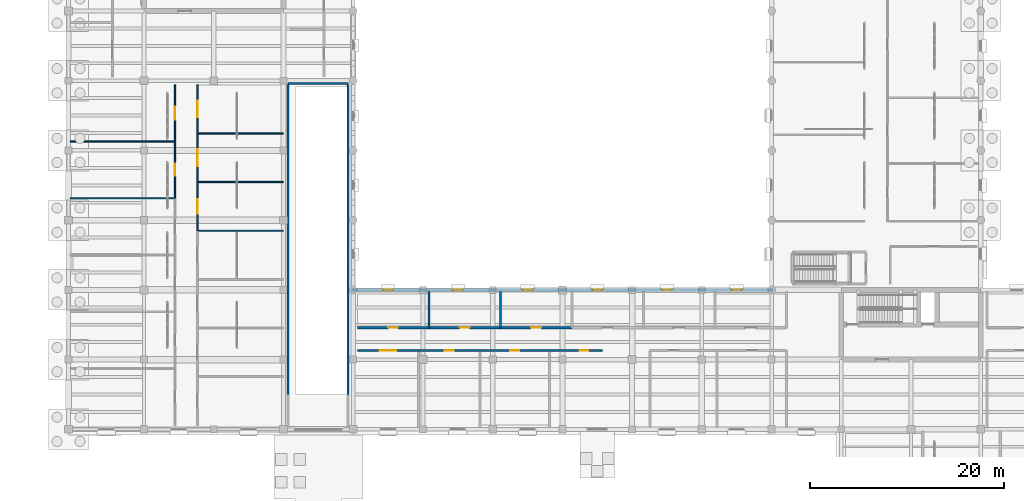
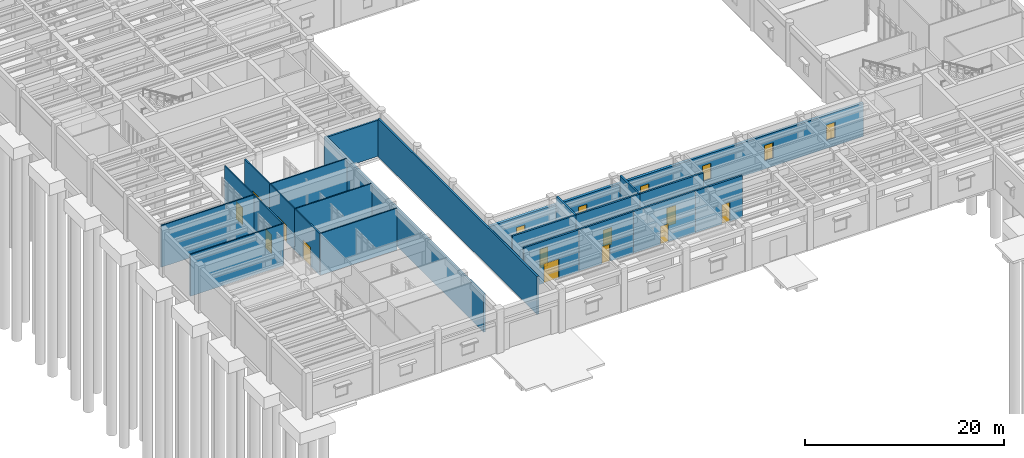
# One storey, part 68 of 100: 23 walls, 12 doors, 6 windows, 18 openings.
"""IFC4 building model written with IfcOpenShell, lengths in metres."""

from ifc_helpers import new_model, si_unit, direction, frame, frame_2d, origin, place, context, subcontext, project, spatial, rectangle, extrude, material, layer, layer_set, type_object, element, fill, save


model = new_model("IFC4")

# Units and contexts
model_context = context("Model", 3, precision=1e-05, world=origin(), true_north=direction((0.0, 1.0)))
body_context = subcontext(model_context, "Body", "Model", "MODEL_VIEW")
ifc_project = project(units=[si_unit("LENGTHUNIT", "METRE"), si_unit("AREAUNIT", "SQUARE_METRE"), si_unit("VOLUMEUNIT", "CUBIC_METRE"), si_unit("PLANEANGLEUNIT", "RADIAN"), si_unit("MASSUNIT", "GRAM", prefix="KILO")], contexts=[model_context])

# Site, building, storey
site_placement = place(None, origin())
site = spatial("IfcSite", under=ifc_project, at=site_placement, CompositionType="ELEMENT")
building_placement = place(site_placement, origin())
building = spatial("IfcBuilding", under=site, at=building_placement, Name="Mithqara Police Headquarters", CompositionType="ELEMENT")
storey_placement = place(building_placement, origin())
storey = spatial("IfcBuildingStorey", under=building, at=storey_placement, Name="L00", CompositionType="ELEMENT", Elevation=0.0)

# Wall, openings, windows
ifc_material_1 = material(Name="Limestone ashlar masonry, 45 MPa", Category="masonry")
ifc_layer_1 = layer(ifc_material_1, 0.320068359375, Name="Limestone ashlar masonry, 45 MPa")
ifc_layer_set_1 = layer_set([ifc_layer_1], Name="Limestone ashlar masonry, 45 MPa")
wall_type_1 = type_object("IfcWallType", Name="EXT WALL LIMESTONE320", PredefinedType="SOLIDWALL", material=ifc_layer_set_1)
wall_1_placement = place(storey_placement, frame((72.760009765625, 35.39990234375, 0.0), z_axis=(0.0, 0.0, 1.0), x_axis=(-1.0, 0.0, 0.0)))
wall_1 = element("IfcWall", 1, at=wall_1_placement, inside=storey, type_object=wall_type_1, Name="L00 Exterior Wall 5.1", PredefinedType="SOLIDWALL", context=body_context, shape_type="SweptSolid", body=[
    extrude(rectangle(XDim=43.52001953125, YDim=0.320068359375, at=frame_2d((21.760009765625, 0.0))), origin(), (0.0, 0.0, 1.0), 4.1201171875),
])
opening_1_placement = place(wall_1_placement, frame((39.260009765625, 0.0, 1.0)))
opening_1 = element("IfcOpeningElement", 2, at=opening_1_placement, cuts=wall_1, Name="Opening W-08", PredefinedType="OPENING", context=body_context, shape_type="SweptSolid", body=[
    extrude(rectangle(XDim=1.0, YDim=1.89990234375, at=frame_2d((0.5, 0.949951171875))), frame((0.0, 0.169921875, 0.0), z_axis=(0.0, -1.0, 0.0), x_axis=(1.0, 0.0, 0.0)), (0.0, 0.0, 1.0), 0.340087890625),
])
opening_2_placement = place(wall_1_placement, frame((32.06005859375, 0.0, 1.0)))
opening_2 = element("IfcOpeningElement", 3, at=opening_2_placement, cuts=wall_1, Name="Opening W-08", PredefinedType="OPENING", context=body_context, shape_type="SweptSolid", body=[
    extrude(rectangle(XDim=1.0, YDim=1.89990234375, at=frame_2d((0.5, 0.949951171875))), frame((0.0, 0.169921875, 0.0), z_axis=(0.0, -1.0, 0.0), x_axis=(1.0, 0.0, 0.0)), (0.0, 0.0, 1.0), 0.340087890625),
])
opening_3_placement = place(wall_1_placement, frame((24.860107421875, 0.0, 1.0)))
opening_3 = element("IfcOpeningElement", 4, at=opening_3_placement, cuts=wall_1, Name="Opening W-08", PredefinedType="OPENING", context=body_context, shape_type="SweptSolid", body=[
    extrude(rectangle(XDim=1.0, YDim=1.89990234375, at=frame_2d((0.5, 0.949951171875))), frame((0.0, 0.169921875, 0.0), z_axis=(0.0, -1.0, 0.0), x_axis=(1.0, 0.0, 0.0)), (0.0, 0.0, 1.0), 0.340087890625),
])
opening_4_placement = place(wall_1_placement, frame((17.659912109375, 0.0, 1.0)))
opening_4 = element("IfcOpeningElement", 5, at=opening_4_placement, cuts=wall_1, Name="Opening W-08", PredefinedType="OPENING", context=body_context, shape_type="SweptSolid", body=[
    extrude(rectangle(XDim=1.0, YDim=1.89990234375, at=frame_2d((0.5, 0.949951171875))), frame((0.0, 0.169921875, 0.0), z_axis=(0.0, -1.0, 0.0), x_axis=(1.0, 0.0, 0.0)), (0.0, 0.0, 1.0), 0.340087890625),
])
opening_5_placement = place(wall_1_placement, frame((10.4599609375, 0.0, 1.0)))
opening_5 = element("IfcOpeningElement", 6, at=opening_5_placement, cuts=wall_1, Name="Opening W-08", PredefinedType="OPENING", context=body_context, shape_type="SweptSolid", body=[
    extrude(rectangle(XDim=1.0, YDim=1.89990234375, at=frame_2d((0.5, 0.949951171875))), frame((0.0, 0.169921875, 0.0), z_axis=(0.0, -1.0, 0.0), x_axis=(1.0, 0.0, 0.0)), (0.0, 0.0, 1.0), 0.340087890625),
])
opening_6_placement = place(wall_1_placement, frame((3.260009765625, 0.0, 1.0)))
opening_6 = element("IfcOpeningElement", 7, at=opening_6_placement, cuts=wall_1, Name="Opening W-08", PredefinedType="OPENING", context=body_context, shape_type="SweptSolid", body=[
    extrude(rectangle(XDim=1.0, YDim=1.89990234375, at=frame_2d((0.5, 0.949951171875))), frame((0.0, 0.169921875, 0.0), z_axis=(0.0, -1.0, 0.0), x_axis=(1.0, 0.0, 0.0)), (0.0, 0.0, 1.0), 0.340087890625),
])
ifc_material_2 = material(Name="Spectrally selective double low-e glass", Category="glass")
window_type = type_object("IfcWindowType", Name="WINDOW 1000X1900", PartitioningType="SINGLE_PANEL", PredefinedType="WINDOW", material=ifc_material_2)
window_1_placement = place(opening_1_placement, origin())
window_1 = element("IfcWindow", 8, at=window_1_placement, inside=storey, type_object=window_type, Name="L00 Deep-Set Punched Window 5.1", OverallHeight=1.89990234375, OverallWidth=1.0, PartitioningType="SINGLE_PANEL", PredefinedType="WINDOW", context=body_context, shape_type="SweptSolid", body=[
    extrude(rectangle(XDim=1.0, YDim=1.89990234375, at=frame_2d((0.5, 0.949951171875))), frame((0.0, 0.030029296875, 0.0), z_axis=(0.0, -1.0, 0.0), x_axis=(1.0, 0.0, 0.0)), (0.0, 0.0, 1.0), 0.06005859375),
])
fill(opening_1, window_1)
window_2_placement = place(opening_2_placement, origin())
window_2 = element("IfcWindow", 9, at=window_2_placement, inside=storey, type_object=window_type, Name="L00 Deep-Set Punched Window 5.2", OverallHeight=1.89990234375, OverallWidth=1.0, PartitioningType="SINGLE_PANEL", PredefinedType="WINDOW", context=body_context, shape_type="SweptSolid", body=[
    extrude(rectangle(XDim=1.0, YDim=1.89990234375, at=frame_2d((0.5, 0.949951171875))), frame((0.0, 0.030029296875, 0.0), z_axis=(0.0, -1.0, 0.0), x_axis=(1.0, 0.0, 0.0)), (0.0, 0.0, 1.0), 0.06005859375),
])
fill(opening_2, window_2)
window_3_placement = place(opening_3_placement, origin())
window_3 = element("IfcWindow", 10, at=window_3_placement, inside=storey, type_object=window_type, Name="L00 Deep-Set Punched Window 5.3", OverallHeight=1.89990234375, OverallWidth=1.0, PartitioningType="SINGLE_PANEL", PredefinedType="WINDOW", context=body_context, shape_type="SweptSolid", body=[
    extrude(rectangle(XDim=1.0, YDim=1.89990234375, at=frame_2d((0.5, 0.949951171875))), frame((0.0, 0.030029296875, 0.0), z_axis=(0.0, -1.0, 0.0), x_axis=(1.0, 0.0, 0.0)), (0.0, 0.0, 1.0), 0.06005859375),
])
fill(opening_3, window_3)
window_4_placement = place(opening_4_placement, origin())
window_4 = element("IfcWindow", 11, at=window_4_placement, inside=storey, type_object=window_type, Name="L00 Deep-Set Punched Window 5.4", OverallHeight=1.89990234375, OverallWidth=1.0, PartitioningType="SINGLE_PANEL", PredefinedType="WINDOW", context=body_context, shape_type="SweptSolid", body=[
    extrude(rectangle(XDim=1.0, YDim=1.89990234375, at=frame_2d((0.5, 0.949951171875))), frame((0.0, 0.030029296875, 0.0), z_axis=(0.0, -1.0, 0.0), x_axis=(1.0, 0.0, 0.0)), (0.0, 0.0, 1.0), 0.06005859375),
])
fill(opening_4, window_4)
window_5_placement = place(opening_5_placement, origin())
window_5 = element("IfcWindow", 12, at=window_5_placement, inside=storey, type_object=window_type, Name="L00 Deep-Set Punched Window 5.5", OverallHeight=1.89990234375, OverallWidth=1.0, PartitioningType="SINGLE_PANEL", PredefinedType="WINDOW", context=body_context, shape_type="SweptSolid", body=[
    extrude(rectangle(XDim=1.0, YDim=1.89990234375, at=frame_2d((0.5, 0.949951171875))), frame((0.0, 0.030029296875, 0.0), z_axis=(0.0, -1.0, 0.0), x_axis=(1.0, 0.0, 0.0)), (0.0, 0.0, 1.0), 0.06005859375),
])
fill(opening_5, window_5)
window_6_placement = place(opening_6_placement, origin())
window_6 = element("IfcWindow", 13, at=window_6_placement, inside=storey, type_object=window_type, Name="L00 Deep-Set Punched Window 5.6", OverallHeight=1.89990234375, OverallWidth=1.0, PartitioningType="SINGLE_PANEL", PredefinedType="WINDOW", context=body_context, shape_type="SweptSolid", body=[
    extrude(rectangle(XDim=1.0, YDim=1.89990234375, at=frame_2d((0.5, 0.949951171875))), frame((0.0, 0.030029296875, 0.0), z_axis=(0.0, -1.0, 0.0), x_axis=(1.0, 0.0, 0.0)), (0.0, 0.0, 1.0), 0.06005859375),
])
fill(opening_6, window_6)

# Wall
ifc_material_3 = material(Name="Gypsum acoustic stud partition", Category="gypsum")
ifc_layer_2 = layer(ifc_material_3, 0.139892578125, Name="Gypsum acoustic stud partition")
ifc_layer_set_2 = layer_set([ifc_layer_2], Name="Gypsum acoustic stud partition")
wall_type_2 = type_object("IfcWallType", Name="PART WALL 140", PredefinedType="PARTITIONING", material=ifc_layer_set_2)
wall_2_placement = place(storey_placement, frame((0.179931640625, 44.860107421875, 0.0), z_axis=(0.0, 0.0, 1.0), x_axis=(1.0, 0.0, 0.0)))
element("IfcWall", 14, at=wall_2_placement, inside=storey, type_object=wall_type_2, Name="L00 Room Partition Tactical Equipment Room", PredefinedType="PARTITIONING", context=body_context, shape_type="SweptSolid", body=[
    extrude(rectangle(XDim=10.81005859375, YDim=0.139892578125, at=frame_2d((5.405029296875, 0.0))), origin(), (0.0, 0.0, 1.0), 5.1201171875),
])

# Wall, opening, door
wall_3_placement = place(storey_placement, frame((10.989990234375, 44.860107421875, 0.0), z_axis=(0.0, 0.0, 1.0), x_axis=(0.0, 1.0, 0.0)))
wall_3 = element("IfcWall", 15, at=wall_3_placement, inside=storey, type_object=wall_type_2, Name="L00 Corridor Wall K9 Handler Readiness Room", PredefinedType="PARTITIONING", context=body_context, shape_type="SweptSolid", body=[
    extrude(rectangle(XDim=5.85986328125, YDim=0.139892578125, at=frame_2d((2.929931640625, 0.0))), origin(), (0.0, 0.0, 1.0), 5.1201171875),
])
opening_7_placement = place(wall_3_placement, frame((2.320068359375, 0.0, 0.0)))
opening_7 = element("IfcOpeningElement", 16, at=opening_7_placement, cuts=wall_3, Name="Opening D-15", PredefinedType="OPENING", context=body_context, shape_type="SweptSolid", body=[
    extrude(rectangle(XDim=1.219970703125, YDim=2.35009765625, at=frame_2d((0.60986328125, 1.175048828125))), frame((0.0, 0.080078125, 0.0), z_axis=(0.0, -1.0, 0.0), x_axis=(1.0, 0.0, 0.0)), (0.0, 0.0, 1.0), 0.159912109375),
])
ifc_material_4 = material(Name="Acoustic solid-core timber leaf", Category="wood")
door_type_1 = type_object("IfcDoorType", Name="INT DOOR 1220X2350", OperationType="NOTDEFINED", PredefinedType="DOOR", material=ifc_material_4)
door_1_placement = place(opening_7_placement, frame((1.219970703125, 0.0, 0.0), z_axis=(0.0, 0.0, 1.0), x_axis=(-1.0, 0.0, 0.0)))
door_1 = element("IfcDoor", 17, at=door_1_placement, inside=storey, type_object=door_type_1, Name="K9 Handler Readiness Room Entry Door", OperationType="SINGLE_SWING_RIGHT", OverallHeight=2.35009765625, OverallWidth=1.219970703125, PredefinedType="DOOR", context=body_context, shape_type="SweptSolid", body=[
    extrude(rectangle(XDim=1.219970703125, YDim=2.35009765625, at=frame_2d((0.60986328125, 1.175048828125))), frame((0.0, 0.02490234375, 0.0), z_axis=(0.0, -1.0, 0.0), x_axis=(1.0, 0.0, 0.0)), (0.0, 0.0, 1.0), 0.050048828125),
])
fill(opening_7, door_1)

# Wall
wall_4_placement = place(storey_placement, frame((0.179931640625, 50.719970703125, 0.0), z_axis=(0.0, 0.0, 1.0), x_axis=(1.0, 0.0, 0.0)))
element("IfcWall", 18, at=wall_4_placement, inside=storey, type_object=wall_type_2, Name="L00 Room Partition K9 Handler Readiness Room", PredefinedType="PARTITIONING", context=body_context, shape_type="SweptSolid", body=[
    extrude(rectangle(XDim=10.81005859375, YDim=0.139892578125, at=frame_2d((5.405029296875, 0.0))), origin(), (0.0, 0.0, 1.0), 5.1201171875),
])

# Wall, opening, door
wall_5_placement = place(storey_placement, frame((10.989990234375, 50.719970703125, 0.0), z_axis=(0.0, 0.0, 1.0), x_axis=(0.0, 1.0, 0.0)))
wall_5 = element("IfcWall", 19, at=wall_5_placement, inside=storey, type_object=wall_type_2, Name="L00 Corridor Wall First Aid Treatment Room", PredefinedType="PARTITIONING", context=body_context, shape_type="SweptSolid", body=[
    extrude(rectangle(XDim=5.860107421875, YDim=0.139892578125, at=frame_2d((2.93017578125, 0.0))), origin(), (0.0, 0.0, 1.0), 5.1201171875),
])
opening_8_placement = place(wall_5_placement, frame((2.25, 0.0, 0.0)))
opening_8 = element("IfcOpeningElement", 20, at=opening_8_placement, cuts=wall_5, Name="Opening D-16", PredefinedType="OPENING", context=body_context, shape_type="SweptSolid", body=[
    extrude(rectangle(XDim=1.360107421875, YDim=2.10009765625, at=frame_2d((0.68017578125, 1.050048828125))), frame((0.0, 0.080078125, 0.0), z_axis=(0.0, -1.0, 0.0), x_axis=(1.0, 0.0, 0.0)), (0.0, 0.0, 1.0), 0.159912109375),
])
ifc_material_5 = material(Name="Bronze anodised aluminium 6063-T6", Category="aluminium")
door_type_2 = type_object("IfcDoorType", Name="INT DOOR 1360X2100", OperationType="NOTDEFINED", PredefinedType="DOOR", material=ifc_material_5)
door_2_placement = place(opening_8_placement, frame((1.360107421875, 0.0, 0.0), z_axis=(0.0, 0.0, 1.0), x_axis=(-1.0, 0.0, 0.0)))
door_2 = element("IfcDoor", 21, at=door_2_placement, inside=storey, type_object=door_type_2, Name="First Aid Treatment Room Entry Door", OperationType="SINGLE_SWING_LEFT", OverallHeight=2.10009765625, OverallWidth=1.360107421875, PredefinedType="DOOR", context=body_context, shape_type="SweptSolid", body=[
    extrude(rectangle(XDim=1.360107421875, YDim=2.10009765625, at=frame_2d((0.68017578125, 1.050048828125))), frame((0.0, 0.02490234375, 0.0), z_axis=(0.0, -1.0, 0.0), x_axis=(1.0, 0.0, 0.0)), (0.0, 0.0, 1.0), 0.050048828125),
])
fill(opening_8, door_2)

# Wall
wall_6_placement = place(storey_placement, frame((13.330078125, 41.510986328125, 0.0), z_axis=(0.0, 0.0, 1.0), x_axis=(1.0, 0.0, 0.0)))
element("IfcWall", 22, at=wall_6_placement, inside=storey, type_object=wall_type_2, Name="L00 Room Partition Tactical Equipment Room", PredefinedType="PARTITIONING", context=body_context, shape_type="SweptSolid", body=[
    extrude(rectangle(XDim=8.869873046875, YDim=0.139892578125, at=frame_2d((4.43505859375, 0.0))), origin(), (0.0, 0.0, 1.0), 5.1201171875),
])

# Wall, opening, door
wall_7_placement = place(storey_placement, frame((13.330078125, 41.510986328125, 0.0), z_axis=(0.0, 0.0, 1.0), x_axis=(0.0, 1.0, 0.0)))
wall_7 = element("IfcWall", 23, at=wall_7_placement, inside=storey, type_object=wall_type_2, Name="L00 Corridor Wall K9 Handler Readiness Room", PredefinedType="PARTITIONING", context=body_context, shape_type="SweptSolid", body=[
    extrude(rectangle(XDim=5.02294921875, YDim=0.139892578125, at=frame_2d((2.511474609375, 0.0))), origin(), (0.0, 0.0, 1.0), 5.1201171875),
])
opening_9_placement = place(wall_7_placement, frame((1.75146484375, 0.0, 0.0)))
opening_9 = element("IfcOpeningElement", 24, at=opening_9_placement, cuts=wall_7, Name="Opening D-21", PredefinedType="OPENING", context=body_context, shape_type="SweptSolid", body=[
    extrude(rectangle(XDim=1.52001953125, YDim=2.35009765625, at=frame_2d((0.760009765625, 1.175048828125))), frame((0.0, 0.080078125, 0.0), z_axis=(0.0, -1.0, 0.0), x_axis=(1.0, 0.0, 0.0)), (0.0, 0.0, 1.0), 0.159912109375),
])
door_type_3 = type_object("IfcDoorType", Name="INT DOOR 1520X2350", OperationType="NOTDEFINED", PredefinedType="DOOR", material=ifc_material_5)
door_3_placement = place(opening_9_placement, origin())
door_3 = element("IfcDoor", 25, at=door_3_placement, inside=storey, type_object=door_type_3, Name="K9 Handler Readiness Room Entry Door", OperationType="DOUBLE_DOOR_SINGLE_SWING", OverallHeight=2.35009765625, OverallWidth=1.52001953125, PredefinedType="DOOR", context=body_context, shape_type="SweptSolid", body=[
    extrude(rectangle(XDim=1.52001953125, YDim=2.35009765625, at=frame_2d((0.760009765625, 1.175048828125))), frame((0.0, 0.02490234375, 0.0), z_axis=(0.0, -1.0, 0.0), x_axis=(1.0, 0.0, 0.0)), (0.0, 0.0, 1.0), 0.050048828125),
])
fill(opening_9, door_3)

# Wall
wall_8_placement = place(storey_placement, frame((13.330078125, 46.533935546875, 0.0), z_axis=(0.0, 0.0, 1.0), x_axis=(1.0, 0.0, 0.0)))
element("IfcWall", 26, at=wall_8_placement, inside=storey, type_object=wall_type_2, Name="L00 Room Partition K9 Handler Readiness Room", PredefinedType="PARTITIONING", context=body_context, shape_type="SweptSolid", body=[
    extrude(rectangle(XDim=8.869873046875, YDim=0.139892578125, at=frame_2d((4.43505859375, 0.0))), origin(), (0.0, 0.0, 1.0), 5.1201171875),
])

# Wall, opening, door
wall_9_placement = place(storey_placement, frame((13.330078125, 46.533935546875, 0.0), z_axis=(0.0, 0.0, 1.0), x_axis=(0.0, 1.0, 0.0)))
wall_9 = element("IfcWall", 27, at=wall_9_placement, inside=storey, type_object=wall_type_2, Name="L00 Corridor Wall First Aid Treatment Room", PredefinedType="PARTITIONING", context=body_context, shape_type="SweptSolid", body=[
    extrude(rectangle(XDim=5.02294921875, YDim=0.139892578125, at=frame_2d((2.511474609375, 0.0))), origin(), (0.0, 0.0, 1.0), 5.1201171875),
])
opening_10_placement = place(wall_9_placement, frame((1.651611328125, 0.0, 0.0)))
opening_10 = element("IfcOpeningElement", 28, at=opening_10_placement, cuts=wall_9, Name="Opening D-22", PredefinedType="OPENING", context=body_context, shape_type="SweptSolid", body=[
    extrude(rectangle(XDim=1.719970703125, YDim=2.10009765625, at=frame_2d((0.85986328125, 1.050048828125))), frame((0.0, 0.080078125, 0.0), z_axis=(0.0, -1.0, 0.0), x_axis=(1.0, 0.0, 0.0)), (0.0, 0.0, 1.0), 0.159912109375),
])
door_type_4 = type_object("IfcDoorType", Name="INT DOOR 1720X2100", OperationType="NOTDEFINED", PredefinedType="DOOR", material=ifc_material_5)
door_4_placement = place(opening_10_placement, origin())
door_4 = element("IfcDoor", 29, at=door_4_placement, inside=storey, type_object=door_type_4, Name="First Aid Treatment Room Entry Door", OperationType="DOUBLE_DOOR_SINGLE_SWING", OverallHeight=2.10009765625, OverallWidth=1.719970703125, PredefinedType="DOOR", context=body_context, shape_type="SweptSolid", body=[
    extrude(rectangle(XDim=1.719970703125, YDim=2.10009765625, at=frame_2d((0.85986328125, 1.050048828125))), frame((0.0, 0.02490234375, 0.0), z_axis=(0.0, -1.0, 0.0), x_axis=(1.0, 0.0, 0.0)), (0.0, 0.0, 1.0), 0.050048828125),
])
fill(opening_10, door_4)

# Wall
wall_10_placement = place(storey_placement, frame((13.330078125, 51.556884765625, 0.0), z_axis=(0.0, 0.0, 1.0), x_axis=(1.0, 0.0, 0.0)))
element("IfcWall", 30, at=wall_10_placement, inside=storey, type_object=wall_type_2, Name="L00 Room Partition First Aid Treatment Room", PredefinedType="PARTITIONING", context=body_context, shape_type="SweptSolid", body=[
    extrude(rectangle(XDim=8.869873046875, YDim=0.139892578125, at=frame_2d((4.43505859375, 0.0))), origin(), (0.0, 0.0, 1.0), 5.1201171875),
])

# Wall, opening, door
wall_11_placement = place(storey_placement, frame((13.330078125, 51.556884765625, 0.0), z_axis=(0.0, 0.0, 1.0), x_axis=(0.0, 1.0, 0.0)))
wall_11 = element("IfcWall", 31, at=wall_11_placement, inside=storey, type_object=wall_type_2, Name="L00 Corridor Wall Tactical Equipment Room", PredefinedType="PARTITIONING", context=body_context, shape_type="SweptSolid", body=[
    extrude(rectangle(XDim=5.023193359375, YDim=0.139892578125, at=frame_2d((2.51171875, 0.0))), origin(), (0.0, 0.0, 1.0), 5.1201171875),
])
opening_11_placement = place(wall_11_placement, frame((1.651611328125, 0.0, 0.0)))
opening_11 = element("IfcOpeningElement", 32, at=opening_11_placement, cuts=wall_11, Name="Opening D-23", PredefinedType="OPENING", context=body_context, shape_type="SweptSolid", body=[
    extrude(rectangle(XDim=1.719970703125, YDim=2.219970703125, at=frame_2d((0.85986328125, 1.10986328125))), frame((0.0, 0.080078125, 0.0), z_axis=(0.0, -1.0, 0.0), x_axis=(1.0, 0.0, 0.0)), (0.0, 0.0, 1.0), 0.159912109375),
])
door_type_5 = type_object("IfcDoorType", Name="INT DOOR 1720X2220", OperationType="NOTDEFINED", PredefinedType="DOOR", material=ifc_material_5)
door_5_placement = place(opening_11_placement, origin())
door_5 = element("IfcDoor", 33, at=door_5_placement, inside=storey, type_object=door_type_5, Name="Tactical Equipment Room Entry Door", OperationType="DOUBLE_DOOR_SINGLE_SWING", OverallHeight=2.219970703125, OverallWidth=1.719970703125, PredefinedType="DOOR", context=body_context, shape_type="SweptSolid", body=[
    extrude(rectangle(XDim=1.719970703125, YDim=2.219970703125, at=frame_2d((0.85986328125, 1.10986328125))), frame((0.0, 0.02490234375, 0.0), z_axis=(0.0, -1.0, 0.0), x_axis=(1.0, 0.0, 0.0)), (0.0, 0.0, 1.0), 0.050048828125),
])
fill(opening_11, door_5)

# Walls
ifc_material_6 = material(Name="Concrete C40/50", Category="concrete")
ifc_layer_3 = layer(ifc_material_6, 0.2099609375, Name="Concrete C40/50")
ifc_layer_set_3 = layer_set([ifc_layer_3], Name="Concrete C40/50")
wall_type_3 = type_object("IfcWallType", Name="PART WALL 210", PredefinedType="PARTITIONING", material=ifc_layer_set_3)
for number, where, z_axis, x_axis, name in (
    (34, (22.64990234375, 24.60009765625, 0.0), (0.0, 0.0, 1.0), (0.0, 1.0, 0.0), "L00 Vehicle Ramp Fire Enclosure Wall W"),
    (35, (28.85009765625, 24.60009765625, 0.0), (0.0, 0.0, 1.0), (0.0, 1.0, 0.0), "L00 Vehicle Ramp Fire Enclosure Wall E"),
):
    element("IfcWall", number, at=place(storey_placement, frame(where, z_axis=z_axis, x_axis=x_axis)), inside=storey, type_object=wall_type_3, Name=name, PredefinedType="PARTITIONING", context=body_context, shape_type="SweptSolid", body=[
        extrude(rectangle(XDim=32.0, YDim=0.2099609375, at=frame_2d((16.0, 0.0))), origin(), (0.0, 0.0, 1.0), 4.64990234375),
    ])
wall_12_placement = place(storey_placement, frame((22.64990234375, 56.719970703125, 0.0), z_axis=(0.0, 0.0, 1.0), x_axis=(1.0, 0.0, 0.0)))
element("IfcWall", 36, at=wall_12_placement, inside=storey, type_object=wall_type_3, Name="L00 Vehicle Ramp Hood End Wall", PredefinedType="PARTITIONING", context=body_context, shape_type="SweptSolid", body=[
    extrude(rectangle(XDim=6.2001953125, YDim=0.2099609375, at=frame_2d((3.10009765625, 0.0))), origin(), (0.0, 0.0, 1.0), 4.419921875),
])

# Wall, opening, door
wall_13_placement = place(storey_placement, frame((29.820068359375, 29.14990234375, 0.0), z_axis=(0.0, 0.0, 1.0), x_axis=(1.0, 0.0, 0.0)))
wall_13 = element("IfcWall", 37, at=wall_13_placement, inside=storey, type_object=wall_type_3, Name="L00 Corridor Wall Lost and Found Counter", PredefinedType="PARTITIONING", context=body_context, shape_type="SweptSolid", body=[
    extrude(rectangle(XDim=6.3330078125, YDim=0.2099609375, at=frame_2d((3.16650390625, 0.0))), origin(), (0.0, 0.0, 1.0), 5.1201171875),
])
opening_12_placement = place(wall_13_placement, frame((2.306396484375, 0.0, 0.0)))
opening_12 = element("IfcOpeningElement", 38, at=opening_12_placement, cuts=wall_13, Name="Opening D-24", PredefinedType="OPENING", context=body_context, shape_type="SweptSolid", body=[
    extrude(rectangle(XDim=1.719970703125, YDim=2.35009765625, at=frame_2d((0.85986328125, 1.175048828125))), frame((0.0, 0.114990234375, 0.0), z_axis=(0.0, -1.0, 0.0), x_axis=(1.0, 0.0, 0.0)), (0.0, 0.0, 1.0), 0.22998046875),
])
door_type_6 = type_object("IfcDoorType", Name="INT DOOR 1720X2350", OperationType="NOTDEFINED", PredefinedType="DOOR", material=ifc_material_5)
door_6_placement = place(opening_12_placement, frame((1.719970703125, 0.0, 0.0), z_axis=(0.0, 0.0, 1.0), x_axis=(-1.0, 0.0, 0.0)))
door_6 = element("IfcDoor", 39, at=door_6_placement, inside=storey, type_object=door_type_6, Name="Lost and Found Counter Entry Door", OperationType="DOUBLE_DOOR_SINGLE_SWING", OverallHeight=2.35009765625, OverallWidth=1.719970703125, PredefinedType="DOOR", context=body_context, shape_type="SweptSolid", body=[
    extrude(rectangle(XDim=1.719970703125, YDim=2.35009765625, at=frame_2d((0.85986328125, 1.175048828125))), frame((0.0, 0.02490234375, 0.0), z_axis=(0.0, -1.0, 0.0), x_axis=(1.0, 0.0, 0.0)), (0.0, 0.0, 1.0), 0.050048828125),
])
fill(opening_12, door_6)

wall_14_placement = place(storey_placement, frame((36.153076171875, 29.14990234375, 0.0), z_axis=(0.0, 0.0, 1.0), x_axis=(1.0, 0.0, 0.0)))
wall_14 = element("IfcWall", 40, at=wall_14_placement, inside=storey, type_object=wall_type_3, Name="L00 Corridor Wall Victim Support Consultation Room", PredefinedType="PARTITIONING", context=body_context, shape_type="SweptSolid", body=[
    extrude(rectangle(XDim=6.3330078125, YDim=0.2099609375, at=frame_2d((3.16650390625, 0.0))), origin(), (0.0, 0.0, 1.0), 5.1201171875),
])
opening_13_placement = place(wall_14_placement, frame((2.70654296875, 0.0, 0.0)))
opening_13 = element("IfcOpeningElement", 41, at=opening_13_placement, cuts=wall_14, Name="Opening D-01", PredefinedType="OPENING", context=body_context, shape_type="SweptSolid", body=[
    extrude(rectangle(XDim=0.919921875, YDim=2.10009765625, at=frame_2d((0.4599609375, 1.050048828125))), frame((0.0, 0.114990234375, 0.0), z_axis=(0.0, -1.0, 0.0), x_axis=(1.0, 0.0, 0.0)), (0.0, 0.0, 1.0), 0.22998046875),
])
door_type_7 = type_object("IfcDoorType", Name="INT DOOR 920X2100", OperationType="NOTDEFINED", PredefinedType="DOOR", material=ifc_material_4)
door_7_placement = place(opening_13_placement, frame((0.919921875, 0.0, 0.0), z_axis=(0.0, 0.0, 1.0), x_axis=(-1.0, 0.0, 0.0)))
door_7 = element("IfcDoor", 42, at=door_7_placement, inside=storey, type_object=door_type_7, Name="Victim Support Consultation Room Entry Door", OperationType="SINGLE_SWING_RIGHT", OverallHeight=2.10009765625, OverallWidth=0.919921875, PredefinedType="DOOR", context=body_context, shape_type="SweptSolid", body=[
    extrude(rectangle(XDim=0.919921875, YDim=2.10009765625, at=frame_2d((0.4599609375, 1.050048828125))), frame((0.0, 0.02490234375, 0.0), z_axis=(0.0, -1.0, 0.0), x_axis=(1.0, 0.0, 0.0)), (0.0, 0.0, 1.0), 0.050048828125),
])
fill(opening_13, door_7)

wall_15_placement = place(storey_placement, frame((42.486083984375, 29.14990234375, 0.0), z_axis=(0.0, 0.0, 1.0), x_axis=(1.0, 0.0, 0.0)))
wall_15 = element("IfcWall", 43, at=wall_15_placement, inside=storey, type_object=wall_type_3, Name="L00 Corridor Wall Witness Reception Room", PredefinedType="PARTITIONING", context=body_context, shape_type="SweptSolid", body=[
    extrude(rectangle(XDim=7.182861328125, YDim=0.2099609375, at=frame_2d((3.59130859375, 0.0))), origin(), (0.0, 0.0, 1.0), 5.1201171875),
])
opening_14_placement = place(wall_15_placement, frame((3.131591796875, 0.0, 0.0)))
opening_14 = element("IfcOpeningElement", 44, at=opening_14_placement, cuts=wall_15, Name="Opening D-02", PredefinedType="OPENING", context=body_context, shape_type="SweptSolid", body=[
    extrude(rectangle(XDim=0.919921875, YDim=2.219970703125, at=frame_2d((0.4599609375, 1.10986328125))), frame((0.0, 0.114990234375, 0.0), z_axis=(0.0, -1.0, 0.0), x_axis=(1.0, 0.0, 0.0)), (0.0, 0.0, 1.0), 0.22998046875),
])
door_type_8 = type_object("IfcDoorType", Name="INT DOOR 920X2220", OperationType="NOTDEFINED", PredefinedType="DOOR", material=ifc_material_4)
door_8_placement = place(opening_14_placement, frame((0.919921875, 0.0, 0.0), z_axis=(0.0, 0.0, 1.0), x_axis=(-1.0, 0.0, 0.0)))
door_8 = element("IfcDoor", 45, at=door_8_placement, inside=storey, type_object=door_type_8, Name="Witness Reception Room Entry Door", OperationType="SINGLE_SWING_LEFT", OverallHeight=2.219970703125, OverallWidth=0.919921875, PredefinedType="DOOR", context=body_context, shape_type="SweptSolid", body=[
    extrude(rectangle(XDim=0.919921875, YDim=2.219970703125, at=frame_2d((0.4599609375, 1.10986328125))), frame((0.0, 0.02490234375, 0.0), z_axis=(0.0, -1.0, 0.0), x_axis=(1.0, 0.0, 0.0)), (0.0, 0.0, 1.0), 0.050048828125),
])
fill(opening_14, door_8)

wall_16_placement = place(storey_placement, frame((49.6689453125, 29.14990234375, 0.0), z_axis=(0.0, 0.0, 1.0), x_axis=(1.0, 0.0, 0.0)))
wall_16 = element("IfcWall", 46, at=wall_16_placement, inside=storey, type_object=wall_type_3, Name="L00 Corridor Wall Lost and Found Counter", PredefinedType="PARTITIONING", context=body_context, shape_type="SweptSolid", body=[
    extrude(rectangle(XDim=5.48193359375, YDim=0.2099609375, at=frame_2d((2.740966796875, 0.0))), origin(), (0.0, 0.0, 1.0), 5.1201171875),
])
opening_15_placement = place(wall_16_placement, frame((3.103271484375, 0.0, 0.0)))
opening_15 = element("IfcOpeningElement", 47, at=opening_15_placement, cuts=wall_16, Name="Opening D-03", PredefinedType="OPENING", context=body_context, shape_type="SweptSolid", body=[
    extrude(rectangle(XDim=0.919921875, YDim=2.35009765625, at=frame_2d((0.4599609375, 1.175048828125))), frame((0.0, 0.114990234375, 0.0), z_axis=(0.0, -1.0, 0.0), x_axis=(1.0, 0.0, 0.0)), (0.0, 0.0, 1.0), 0.22998046875),
])
door_type_9 = type_object("IfcDoorType", Name="INT DOOR 920X2350", OperationType="NOTDEFINED", PredefinedType="DOOR", material=ifc_material_4)
door_9_placement = place(opening_15_placement, frame((0.919921875, 0.0, 0.0), z_axis=(0.0, 0.0, 1.0), x_axis=(-1.0, 0.0, 0.0)))
door_9 = element("IfcDoor", 48, at=door_9_placement, inside=storey, type_object=door_type_9, Name="Lost and Found Counter Entry Door", OperationType="SINGLE_SWING_RIGHT", OverallHeight=2.35009765625, OverallWidth=0.919921875, PredefinedType="DOOR", context=body_context, shape_type="SweptSolid", body=[
    extrude(rectangle(XDim=0.919921875, YDim=2.35009765625, at=frame_2d((0.4599609375, 1.175048828125))), frame((0.0, 0.02490234375, 0.0), z_axis=(0.0, -1.0, 0.0), x_axis=(1.0, 0.0, 0.0)), (0.0, 0.0, 1.0), 0.050048828125),
])
fill(opening_15, door_9)

wall_17_placement = place(storey_placement, frame((29.820068359375, 31.489990234375, 0.0), z_axis=(0.0, 0.0, 1.0), x_axis=(1.0, 0.0, 0.0)))
wall_17 = element("IfcWall", 49, at=wall_17_placement, inside=storey, type_object=wall_type_3, Name="L00 Corridor Wall Victim Support Consultation Room", PredefinedType="PARTITIONING", context=body_context, shape_type="SweptSolid", body=[
    extrude(rectangle(XDim=7.387939453125, YDim=0.2099609375, at=frame_2d((3.69384765625, 0.0))), origin(), (0.0, 0.0, 1.0), 5.1201171875),
])
opening_16_placement = place(wall_17_placement, frame((3.2041015625, 0.0, 0.0)))
opening_16 = element("IfcOpeningElement", 50, at=opening_16_placement, cuts=wall_17, Name="Opening D-06", PredefinedType="OPENING", context=body_context, shape_type="SweptSolid", body=[
    extrude(rectangle(XDim=0.97998046875, YDim=2.35009765625, at=frame_2d((0.489990234375, 1.175048828125))), frame((0.0, 0.114990234375, 0.0), z_axis=(0.0, -1.0, 0.0), x_axis=(1.0, 0.0, 0.0)), (0.0, 0.0, 1.0), 0.22998046875),
])
door_type_10 = type_object("IfcDoorType", Name="INT DOOR 980X2350", OperationType="NOTDEFINED", PredefinedType="DOOR", material=ifc_material_4)
door_10_placement = place(opening_16_placement, origin())
door_10 = element("IfcDoor", 51, at=door_10_placement, inside=storey, type_object=door_type_10, Name="Victim Support Consultation Room Entry Door", OperationType="SINGLE_SWING_LEFT", OverallHeight=2.35009765625, OverallWidth=0.97998046875, PredefinedType="DOOR", context=body_context, shape_type="SweptSolid", body=[
    extrude(rectangle(XDim=0.97998046875, YDim=2.35009765625, at=frame_2d((0.489990234375, 1.175048828125))), frame((0.0, 0.02490234375, 0.0), z_axis=(0.0, -1.0, 0.0), x_axis=(1.0, 0.0, 0.0)), (0.0, 0.0, 1.0), 0.050048828125),
])
fill(opening_16, door_10)

# Wall
wall_18_placement = place(storey_placement, frame((37.2080078125, 31.489990234375, 0.0), z_axis=(0.0, 0.0, 1.0), x_axis=(0.0, 1.0, 0.0)))
element("IfcWall", 52, at=wall_18_placement, inside=storey, type_object=wall_type_3, Name="L00 Room Partition Victim Support Consultation Room", PredefinedType="PARTITIONING", context=body_context, shape_type="SweptSolid", body=[
    extrude(rectangle(XDim=3.72998046875, YDim=0.2099609375, at=frame_2d((1.864990234375, 0.0))), origin(), (0.0, 0.0, 1.0), 5.1201171875),
])

# Wall, opening, door
wall_19_placement = place(storey_placement, frame((37.2080078125, 31.489990234375, 0.0), z_axis=(0.0, 0.0, 1.0), x_axis=(1.0, 0.0, 0.0)))
wall_19 = element("IfcWall", 53, at=wall_19_placement, inside=storey, type_object=wall_type_3, Name="L00 Corridor Wall Witness Reception Room", PredefinedType="PARTITIONING", context=body_context, shape_type="SweptSolid", body=[
    extrude(rectangle(XDim=7.388916015625, YDim=0.2099609375, at=frame_2d((3.6943359375, 0.0))), origin(), (0.0, 0.0, 1.0), 5.1201171875),
])
opening_17_placement = place(wall_19_placement, frame((3.174560546875, 0.0, 0.0)))
opening_17 = element("IfcOpeningElement", 54, at=opening_17_placement, cuts=wall_19, Name="Opening D-07", PredefinedType="OPENING", context=body_context, shape_type="SweptSolid", body=[
    extrude(rectangle(XDim=1.0400390625, YDim=2.10009765625, at=frame_2d((0.52001953125, 1.050048828125))), frame((0.0, 0.114990234375, 0.0), z_axis=(0.0, -1.0, 0.0), x_axis=(1.0, 0.0, 0.0)), (0.0, 0.0, 1.0), 0.22998046875),
])
door_type_11 = type_object("IfcDoorType", Name="INT DOOR 1040X2100", OperationType="NOTDEFINED", PredefinedType="DOOR", material=ifc_material_4)
door_11_placement = place(opening_17_placement, origin())
door_11 = element("IfcDoor", 55, at=door_11_placement, inside=storey, type_object=door_type_11, Name="Witness Reception Room Entry Door", OperationType="SINGLE_SWING_RIGHT", OverallHeight=2.10009765625, OverallWidth=1.0400390625, PredefinedType="DOOR", context=body_context, shape_type="SweptSolid", body=[
    extrude(rectangle(XDim=1.0400390625, YDim=2.10009765625, at=frame_2d((0.52001953125, 1.050048828125))), frame((0.0, 0.02490234375, 0.0), z_axis=(0.0, -1.0, 0.0), x_axis=(1.0, 0.0, 0.0)), (0.0, 0.0, 1.0), 0.050048828125),
])
fill(opening_17, door_11)

# Wall
wall_20_placement = place(storey_placement, frame((44.596923828125, 31.489990234375, 0.0), z_axis=(0.0, 0.0, 1.0), x_axis=(0.0, 1.0, 0.0)))
element("IfcWall", 56, at=wall_20_placement, inside=storey, type_object=wall_type_3, Name="L00 Room Partition Witness Reception Room", PredefinedType="PARTITIONING", context=body_context, shape_type="SweptSolid", body=[
    extrude(rectangle(XDim=3.72998046875, YDim=0.2099609375, at=frame_2d((1.864990234375, 0.0))), origin(), (0.0, 0.0, 1.0), 5.1201171875),
])

# Wall, opening, door
wall_21_placement = place(storey_placement, frame((44.596923828125, 31.489990234375, 0.0), z_axis=(0.0, 0.0, 1.0), x_axis=(1.0, 0.0, 0.0)))
wall_21 = element("IfcWall", 57, at=wall_21_placement, inside=storey, type_object=wall_type_3, Name="L00 Corridor Wall Lost and Found Counter", PredefinedType="PARTITIONING", context=body_context, shape_type="SweptSolid", body=[
    extrude(rectangle(XDim=7.38818359375, YDim=0.2099609375, at=frame_2d((3.694091796875, 0.0))), origin(), (0.0, 0.0, 1.0), 5.1201171875),
])
opening_18_placement = place(wall_21_placement, frame((3.174072265625, 0.0, 0.0)))
opening_18 = element("IfcOpeningElement", 58, at=opening_18_placement, cuts=wall_21, Name="Opening D-08", PredefinedType="OPENING", context=body_context, shape_type="SweptSolid", body=[
    extrude(rectangle(XDim=1.0400390625, YDim=2.219970703125, at=frame_2d((0.52001953125, 1.10986328125))), frame((0.0, 0.114990234375, 0.0), z_axis=(0.0, -1.0, 0.0), x_axis=(1.0, 0.0, 0.0)), (0.0, 0.0, 1.0), 0.22998046875),
])
door_type_12 = type_object("IfcDoorType", Name="INT DOOR 1040X2220", OperationType="NOTDEFINED", PredefinedType="DOOR", material=ifc_material_4)
door_12_placement = place(opening_18_placement, origin())
door_12 = element("IfcDoor", 59, at=door_12_placement, inside=storey, type_object=door_type_12, Name="Lost and Found Counter Entry Door", OperationType="SINGLE_SWING_LEFT", OverallHeight=2.219970703125, OverallWidth=1.0400390625, PredefinedType="DOOR", context=body_context, shape_type="SweptSolid", body=[
    extrude(rectangle(XDim=1.0400390625, YDim=2.219970703125, at=frame_2d((0.52001953125, 1.10986328125))), frame((0.0, 0.02490234375, 0.0), z_axis=(0.0, -1.0, 0.0), x_axis=(1.0, 0.0, 0.0)), (0.0, 0.0, 1.0), 0.050048828125),
])
fill(opening_18, door_12)

save(model, "model.ifc")
